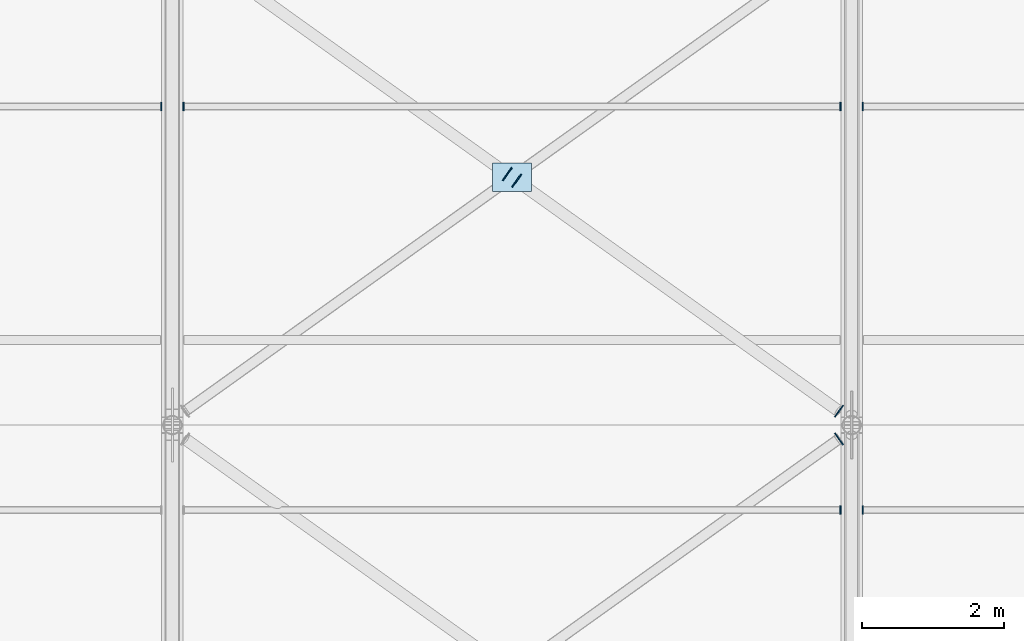
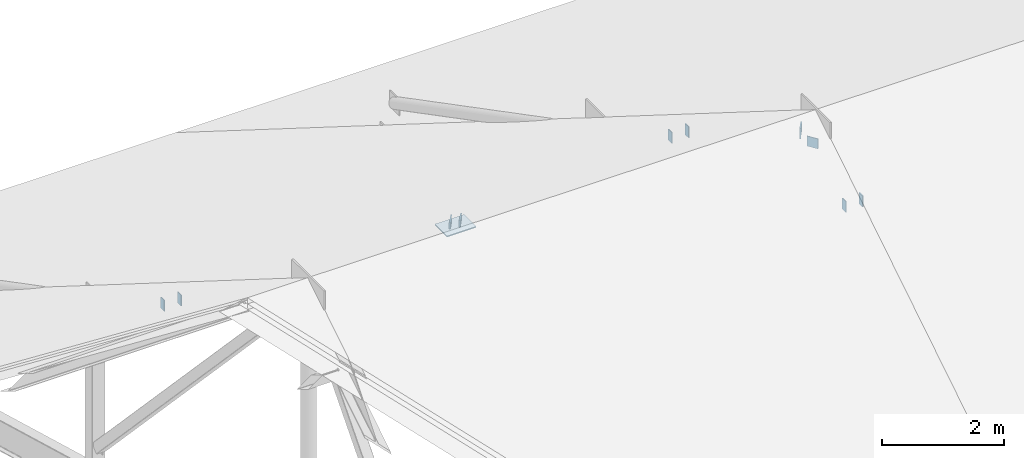
# One storey, part 41 of 66: 11 plates.
"""IFC4 building model written with IfcOpenShell, lengths in metres."""

from ifc_helpers import new_model, si_unit, direction, frame, origin, origin_2d, place, context, subcontext, project, spatial, rectangle, extrude, material, layer, layer_set, type_object, element, save


model = new_model("IFC4")

# Units and contexts
model_context = context("Model", 3, precision=1e-05, world=origin(), true_north=direction((0.0, 1.0)))
body_context = subcontext(model_context, "Body", "Model", "MODEL_VIEW")
ifc_project = project(units=[si_unit("LENGTHUNIT", "METRE"), si_unit("AREAUNIT", "SQUARE_METRE"), si_unit("VOLUMEUNIT", "CUBIC_METRE"), si_unit("PLANEANGLEUNIT", "RADIAN"), si_unit("MASSUNIT", "GRAM", prefix="KILO")], contexts=[model_context])

# Site, building, storey
site_placement = place(None, origin())
site = spatial("IfcSite", under=ifc_project, at=site_placement, CompositionType="ELEMENT")
building_placement = place(site_placement, origin())
building = spatial("IfcBuilding", under=site, at=building_placement, Name="Yeouljin Market Hall", CompositionType="ELEMENT")
storey_placement = place(building_placement, frame((0.0, 0.0, 23.39990234375)))
storey = spatial("IfcBuildingStorey", under=building, at=storey_placement, Name="RF", CompositionType="ELEMENT", Elevation=23.39990234375)

# Plates
ifc_material_1 = material(Name="Steel SM355", Category="steel")
ifc_layer_1 = layer(ifc_material_1, 0.01611328125)
ifc_layer_set_1 = layer_set([ifc_layer_1], Name="Steel SM355")
plate_type_1 = type_object("IfcPlateType", Name="CapPlate_200x200x16", PredefinedType="SHEET", material=ifc_layer_set_1)
for number, where, z_axis, x_axis, name in (
    (1, (73.6201171875, 56.80419921875, 0.623046875), (0.0, 0.0, 1.0), (-0.581697151818, 0.813405448449, 0.0), "Wind brace end-cap plate 0122"),
    (2, (73.6201171875, 57.19580078125, 0.623046875), (0.0, 0.0, 1.0), (0.581697151818, 0.813405448449, 0.0), "Wind brace end-cap plate 0132"),
):
    element("IfcPlate", number, at=place(storey_placement, frame(where, z_axis=z_axis, x_axis=x_axis)), inside=storey, type_object=plate_type_1, Name=name, PredefinedType="SHEET", context=body_context, shape_type="SweptSolid", body=[
        extrude(rectangle(XDim=0.199951171875, YDim=0.01611328125, at=origin_2d()), origin(), (0.0, 0.0, 1.0), 0.199951171875),
    ])
ifc_material_2 = material(Name="Steel SM355", Category="steel")
ifc_layer_2 = layer(ifc_material_2, 0.01611328125)
ifc_layer_set_2 = layer_set([ifc_layer_2], Name="Steel SM355")
plate_type_2 = type_object("IfcPlateType", Name="CapPlate_220x120x16", PredefinedType="SHEET", material=ifc_layer_set_2)
for number, where, z_axis, x_axis, name in (
    (3, (64.0419921875, 61.5, -2.11865234375), (0.0, 0.0, 1.0), (0.0, 1.0, 0.0), "Purlin end-cap plate 0104"),
    (4, (73.64208984375, 55.800048828125, -0.0439453125), (0.0, 0.0, 1.0), (0.0, 1.0, 0.0), "Purlin end-cap plate 0114"),
    (5, (64.35791015625, 61.5, -2.11865234375), (0.0, 0.0, 1.0), (0.0, 1.0, 0.0), "Purlin end-cap plate 0115"),
    (6, (73.64208984375, 61.5, -2.11865234375), (0.0, 0.0, 1.0), (0.0, 1.0, 0.0), "Purlin end-cap plate 0116"),
):
    element("IfcPlate", number, at=place(storey_placement, frame(where, z_axis=z_axis, x_axis=x_axis)), inside=storey, type_object=plate_type_2, Name=name, PredefinedType="SHEET", context=body_context, shape_type="SweptSolid", body=[
        extrude(rectangle(XDim=0.1201171875, YDim=0.01611328125, at=origin_2d()), origin(), (0.0, 0.0, 1.0), 0.219970703125),
    ])
for number, where, z_axis, x_axis, name in (
    (7, (68.93408203125, 60.547119140625, -1.554931640625), (0.0, 0.0, 1.0), (0.581697151818, 0.813405448449, 0.0), "Wind brace end-cap plate 0130"),
    (8, (69.06591796875, 60.452880859375, -1.508544921875), (0.0, 0.0, 1.0), (0.581697151818, 0.813405448449, 0.0), "Wind brace end-cap plate 0131"),
):
    element("IfcPlate", number, at=place(storey_placement, frame(where, z_axis=z_axis, x_axis=x_axis)), inside=storey, type_object=plate_type_2, Name=name, PredefinedType="SHEET", context=body_context, shape_type="SweptSolid", body=[
        extrude(rectangle(XDim=0.219970703125, YDim=0.01611328125, at=origin_2d()), origin(), (0.0, 0.0, 1.0), 0.1201171875),
    ])
for number, where, z_axis, x_axis, name in (
    (9, (73.9580078125, 55.800048828125, -0.0439453125), (0.0, 0.0, 1.0), (0.0, 1.0, 0.0), "Purlin end-cap plate 0137"),
    (10, (73.9580078125, 61.5, -2.11865234375), (0.0, 0.0, 1.0), (0.0, 1.0, 0.0), "Purlin end-cap plate 0139"),
):
    element("IfcPlate", number, at=place(storey_placement, frame(where, z_axis=z_axis, x_axis=x_axis)), inside=storey, type_object=plate_type_2, Name=name, PredefinedType="SHEET", context=body_context, shape_type="SweptSolid", body=[
        extrude(rectangle(XDim=0.1201171875, YDim=0.01611328125, at=origin_2d()), origin(), (0.0, 0.0, 1.0), 0.219970703125),
    ])
ifc_material_3 = material(Name="Steel SM355", Category="steel")
ifc_layer_3 = layer(ifc_material_3, 0.02001953125)
ifc_layer_set_3 = layer_set([ifc_layer_3], Name="Steel SM355")
plate_type_3 = type_object("IfcPlateType", Name="GussetPlate_550x400x20", PredefinedType="USERDEFINED", material=ifc_layer_set_3)
plate_placement = place(storey_placement, frame((69.0, 60.5, -1.579833984375), z_axis=(0.0, 0.0, 1.0), x_axis=(1.0, 0.0, 0.0)))
element("IfcPlate", 11, at=plate_placement, inside=storey, type_object=plate_type_3, Name="X-brace crossing node gusset plate 004", ObjectType="GUSSET PLATE", PredefinedType="USERDEFINED", context=body_context, shape_type="SweptSolid", body=[
    extrude(rectangle(XDim=0.550048828125, YDim=0.39990234375, at=origin_2d()), origin(), (0.0, 0.0, 1.0), 0.02001953125),
])

save(model, "model.ifc")
